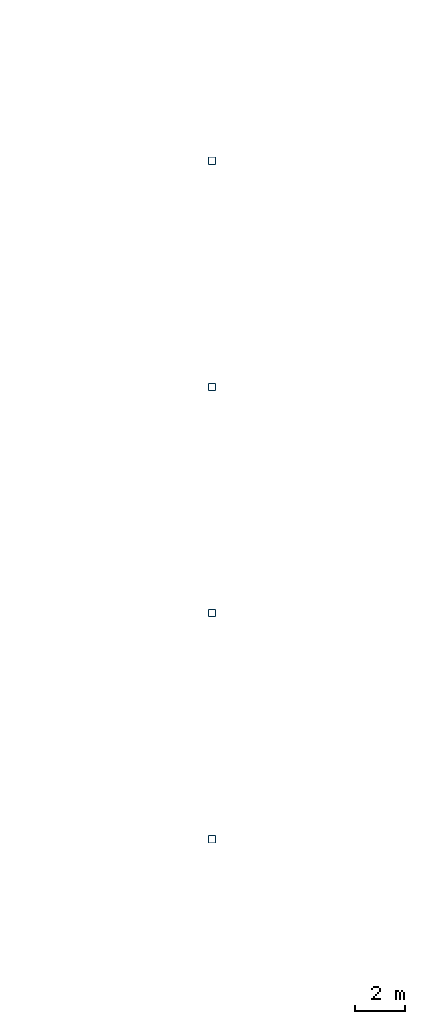
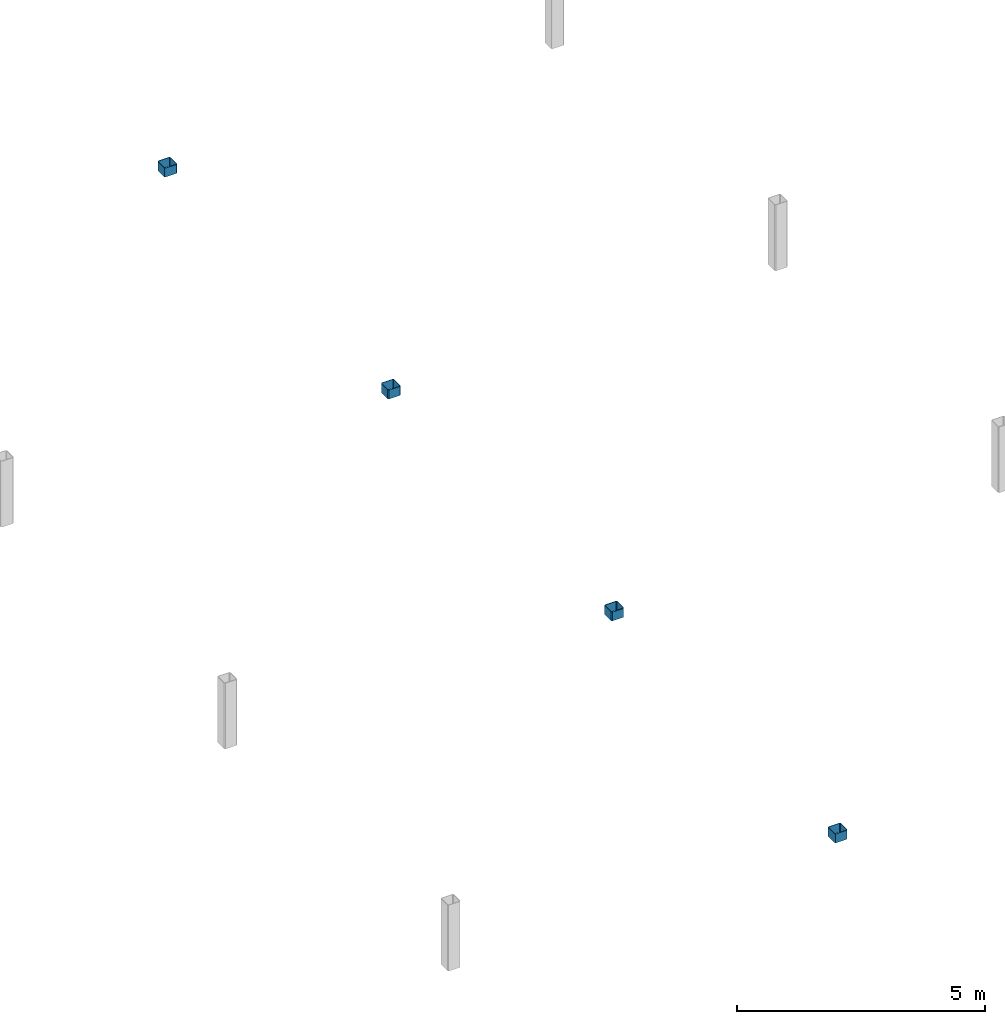
# One storey, part 12 of 15: 4 columns.
"""IFC4 building model written with IfcOpenShell, lengths in metres."""

from ifc_helpers import new_model, si_unit, direction, frame, origin, origin_2d, place, context, subcontext, project, spatial, hollow_rectangle, extrude, material, material_profile, profile_set, type_object, element, save


model = new_model("IFC4")

# Units and contexts
model_context = context("Model", 3, precision=1e-05, world=origin(), true_north=direction((0.0, 1.0)))
body_context = subcontext(model_context, "Body", "Model", "MODEL_VIEW")
ifc_project = project(units=[si_unit("LENGTHUNIT", "METRE"), si_unit("AREAUNIT", "SQUARE_METRE"), si_unit("VOLUMEUNIT", "CUBIC_METRE"), si_unit("PLANEANGLEUNIT", "RADIAN"), si_unit("MASSUNIT", "GRAM", prefix="KILO")], contexts=[model_context])

# Site, building, storey
site_placement = place(None, origin())
site = spatial("IfcSite", under=ifc_project, at=site_placement, CompositionType="ELEMENT")
building_placement = place(site_placement, origin())
building = spatial("IfcBuilding", under=site, at=building_placement, Name="Opaline Strait Convention Centre", CompositionType="ELEMENT")
storey_placement = place(building_placement, frame((0.0, 0.0, 20.10009765625)))
storey = spatial("IfcBuildingStorey", under=building, at=storey_placement, Name="Roof Restaurants and Business Centre", CompositionType="ELEMENT", Elevation=20.10009765625)

# Columns
ifc_material = material(Name="Steel Q355B", Category="steel")
ifc_material_profile = material_profile(ifc_material, hollow_rectangle(XDim=0.300048828125, YDim=0.300048828125, WallThickness=0.011962890625, InnerFilletRadius=0.02392578125, OuterFilletRadius=0.035888671875, at=origin_2d()), Name="RHS 300x300x12")
ifc_profile_set = profile_set([ifc_material_profile], Name="Steel Q355B")
column_type = type_object("IfcColumnType", Name="Roof post RHS 300x300x12", PredefinedType="COLUMN", material=ifc_profile_set)
for number, where, z_axis, x_axis, name in (
    (1, (324.0, 90.0, 0.0), (0.0, 0.0, 1.0), (1.0, 0.0, 0.0), "MRS1 roof post at 37/L above Roof Restaurants and Business Centre"),
    (2, (324.0, 99.0, 0.0), (0.0, 0.0, 1.0), (1.0, 0.0, 0.0), "MRS1 roof post at 37/M above Roof Restaurants and Business Centre"),
    (3, (324.0, 108.0, 0.0), (0.0, 0.0, 1.0), (1.0, 0.0, 0.0), "MRS1 roof post at 37/N above Roof Restaurants and Business Centre"),
    (4, (324.0, 117.0, 0.0), (0.0, 0.0, 1.0), (1.0, 0.0, 0.0), "MRS1 roof post at 37/P above Roof Restaurants and Business Centre"),
):
    element("IfcColumn", number, at=place(storey_placement, frame(where, z_axis=z_axis, x_axis=x_axis)), inside=storey, type_object=column_type, Name=name, PredefinedType="COLUMN", context=body_context, shape_type="SweptSolid", body=[
        extrude(hollow_rectangle(XDim=0.300048828125, YDim=0.300048828125, WallThickness=0.011962890625, InnerFilletRadius=0.02392578125, OuterFilletRadius=0.035888671875, at=origin_2d()), origin(), (0.0, 0.0, 1.0), 0.2197265625),
    ])

save(model, "model.ifc")
